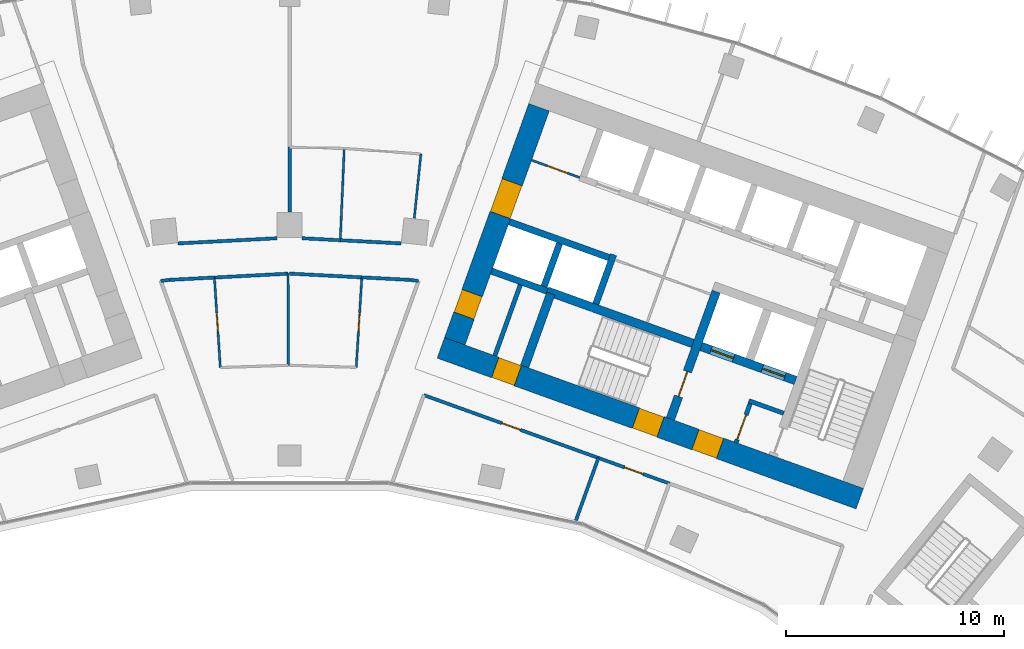
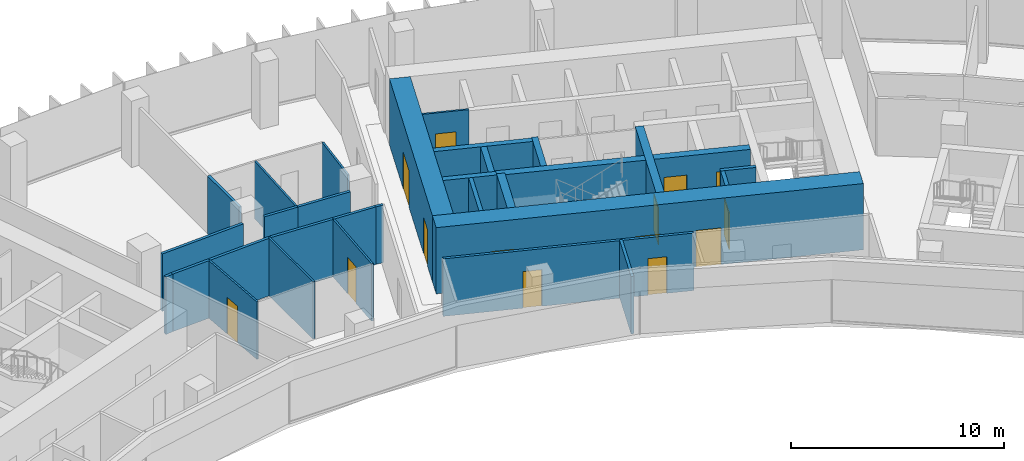
# One storey, part 14 of 19: 31 walls, 14 doors, 14 openings.
"""IFC4 building model written with IfcOpenShell, lengths in metres."""

from ifc_helpers import new_model, si_unit, direction, frame, frame_2d, origin, place, context, subcontext, project, spatial, rectangle, extrude, material, layer, layer_set, type_object, element, fill, save


model = new_model("IFC4")

# Units and contexts
model_context = context("Model", 3, precision=1e-05, world=origin(), true_north=direction((0.0, 1.0)))
body_context = subcontext(model_context, "Body", "Model", "MODEL_VIEW")
ifc_project = project(units=[si_unit("LENGTHUNIT", "METRE"), si_unit("AREAUNIT", "SQUARE_METRE"), si_unit("VOLUMEUNIT", "CUBIC_METRE"), si_unit("PLANEANGLEUNIT", "RADIAN"), si_unit("MASSUNIT", "GRAM", prefix="KILO")], contexts=[model_context])

# Site, building, storey
site_placement = place(None, origin())
site = spatial("IfcSite", under=ifc_project, at=site_placement, CompositionType="ELEMENT")
building_placement = place(site_placement, origin())
building = spatial("IfcBuilding", under=site, at=building_placement, Name="Stone Belt Terrace Tower", CompositionType="ELEMENT")
storey_placement = place(building_placement, frame((0.0, 0.0, 246.60009765625)))
storey = spatial("IfcBuildingStorey", under=building, at=storey_placement, Name="L60", CompositionType="ELEMENT", Elevation=246.60009765625)

# Wall, opening, door
ifc_material_1 = material(Name="Plasterboard partition")
ifc_layer_1 = layer(ifc_material_1, 0.10009765625)
ifc_layer_set_1 = layer_set([ifc_layer_1], Name="Core partition 100")
wall_type_1 = type_object("IfcWallType", Name="Core partition 100", PredefinedType="PARTITIONING", material=ifc_layer_set_1)
wall_1_placement = place(storey_placement, frame((13.29638671875, 57.17529296875, 0.0), z_axis=(0.0, 0.0, 1.0), x_axis=(-0.940904627055, 0.338671644496, 0.0)))
wall_1 = element("IfcWall", 1, at=wall_1_placement, inside=storey, type_object=wall_type_1, Name="Core B wall", PredefinedType="PARTITIONING", context=body_context, shape_type="SweptSolid", body=[
    extrude(rectangle(XDim=2.35009765625, YDim=0.10009765625, at=frame_2d((1.175048828125, 0.0))), origin(), (0.0, 0.0, 1.0), 3.2998046875),
])
opening_1_placement = place(wall_1_placement, frame((0.60009765625, 0.0, 0.0)))
opening_1 = element("IfcOpeningElement", 2, at=opening_1_placement, cuts=wall_1, Name="Opening L60-C15", PredefinedType="OPENING", context=body_context, shape_type="SweptSolid", body=[
    extrude(rectangle(XDim=1.0, YDim=2.10009765625, at=frame_2d((0.5, 1.050048828125))), frame((0.0, 0.06005859375, 0.0), z_axis=(0.0, -1.0, 0.0), x_axis=(1.0, 0.0, 0.0)), (0.0, 0.0, 1.0), 0.1201171875),
])
ifc_material_2 = material(Name="Timber door leaf", Category="wood")
door_type_1 = type_object("IfcDoorType", Name="Core room door 1000", OperationType="SINGLE_SWING_LEFT", PredefinedType="DOOR", material=ifc_material_2)
door_1_placement = place(opening_1_placement, origin())
door_1 = element("IfcDoor", 3, at=door_1_placement, inside=storey, type_object=door_type_1, Name="Door to Communications hub room core B", OperationType="SINGLE_SWING_RIGHT", OverallHeight=2.10009765625, OverallWidth=1.0, PredefinedType="DOOR", context=body_context, shape_type="SweptSolid", body=[
    extrude(rectangle(XDim=1.0, YDim=2.10009765625, at=frame_2d((0.5, 1.050048828125))), frame((0.0, 0.02490234375, 0.0), z_axis=(0.0, -1.0, 0.0), x_axis=(1.0, 0.0, 0.0)), (0.0, 0.0, 1.0), 0.050048828125),
])
fill(opening_1, door_1)

# Wall, openings, doors
ifc_material_3 = material(Name="Concrete B60", Category="concrete")
ifc_layer_2 = layer(ifc_material_3, 1.0)
ifc_layer_set_2 = layer_set([ifc_layer_2], Name="Core wall 1000 B60")
wall_type_2 = type_object("IfcWallType", Name="Core wall 1000 B60", PredefinedType="SHEAR", material=ifc_layer_set_2)
wall_2_placement = place(storey_placement, frame((6.927490234375, 49.370849609375, 0.0), z_axis=(0.0, 0.0, 1.0), x_axis=(0.940921428504, -0.338624962727, 0.0)))
wall_2 = element("IfcWall", 4, at=wall_2_placement, inside=storey, type_object=wall_type_2, Name="Core B wall concave L60", PredefinedType="SHEAR", context=body_context, shape_type="SweptSolid", body=[
    extrude(rectangle(XDim=20.400146484375, YDim=1.0, at=frame_2d((10.2001953125, 0.0))), origin(), (0.0, 0.0, 1.0), 3.7998046875),
])
opening_2_placement = place(wall_2_placement, frame((12.39990234375, 0.0, 0.0)))
opening_2 = element("IfcOpeningElement", 5, at=opening_2_placement, cuts=wall_2, Name="Opening L60-C24", PredefinedType="OPENING", context=body_context, shape_type="SweptSolid", body=[
    extrude(rectangle(XDim=1.199951171875, YDim=2.10009765625, at=frame_2d((0.60009765625, 1.050048828125))), frame((0.0, 0.510009765625, 0.0), z_axis=(0.0, -1.0, 0.0), x_axis=(1.0, 0.0, 0.0)), (0.0, 0.0, 1.0), 1.02001953125),
])
opening_3_placement = place(wall_2_placement, frame((9.5, 0.0, 0.0)))
opening_3 = element("IfcOpeningElement", 6, at=opening_3_placement, cuts=wall_2, Name="Opening L60-C26", PredefinedType="OPENING", context=body_context, shape_type="SweptSolid", body=[
    extrude(rectangle(XDim=1.199951171875, YDim=2.10009765625, at=frame_2d((0.60009765625, 1.050048828125))), frame((0.0, 0.510009765625, 0.0), z_axis=(0.0, -1.0, 0.0), x_axis=(1.0, 0.0, 0.0)), (0.0, 0.0, 1.0), 1.02001953125),
])
opening_4_placement = place(wall_2_placement, frame((2.64990234375, 0.0, 0.0)))
opening_4 = element("IfcOpeningElement", 7, at=opening_4_placement, cuts=wall_2, Name="Opening L60-C28", PredefinedType="OPENING", context=body_context, shape_type="SweptSolid", body=[
    extrude(rectangle(XDim=1.10009765625, YDim=2.10009765625, at=frame_2d((0.550048828125, 1.050048828125))), frame((0.0, 0.510009765625, 0.0), z_axis=(0.0, -1.0, 0.0), x_axis=(1.0, 0.0, 0.0)), (0.0, 0.0, 1.0), 1.02001953125),
])
door_type_2 = type_object("IfcDoorType", Name="Core room door 1100", OperationType="SINGLE_SWING_LEFT", PredefinedType="DOOR", material=ifc_material_2)
door_2_placement = place(opening_4_placement, origin())
door_2 = element("IfcDoor", 8, at=door_2_placement, inside=storey, type_object=door_type_2, Name="Door to Communications riser room core B", OperationType="SINGLE_SWING_RIGHT", OverallHeight=2.10009765625, OverallWidth=1.10009765625, PredefinedType="DOOR", context=body_context, shape_type="SweptSolid", body=[
    extrude(rectangle(XDim=1.10009765625, YDim=2.10009765625, at=frame_2d((0.550048828125, 1.050048828125))), frame((0.0, 0.47998046875, 0.0), z_axis=(0.0, -1.0, 0.0), x_axis=(1.0, 0.0, 0.0)), (0.0, 0.0, 1.0), 0.9599609375),
])
fill(opening_4, door_2)
ifc_material_4 = material(Name="Steel door leaf", Category="steel")
door_type_3 = type_object("IfcDoorType", Name="Fire-fighting lobby door 1200", OperationType="SINGLE_SWING_LEFT", PredefinedType="DOOR", material=ifc_material_4)
door_3_placement = place(opening_2_placement, origin())
door_3 = element("IfcDoor", 9, at=door_3_placement, inside=storey, type_object=door_type_3, Name="Fire-fighting lobby door core B", OperationType="SINGLE_SWING_RIGHT", OverallHeight=2.10009765625, OverallWidth=1.199951171875, PredefinedType="DOOR", context=body_context, shape_type="SweptSolid", body=[
    extrude(rectangle(XDim=1.199951171875, YDim=2.10009765625, at=frame_2d((0.60009765625, 1.050048828125))), frame((0.0, 0.47998046875, 0.0), z_axis=(0.0, -1.0, 0.0), x_axis=(1.0, 0.0, 0.0)), (0.0, 0.0, 1.0), 0.9599609375),
])
fill(opening_2, door_3)
door_type_4 = type_object("IfcDoorType", Name="Stair door 1200", OperationType="SINGLE_SWING_LEFT", PredefinedType="DOOR", material=ifc_material_4)
door_4_placement = place(opening_3_placement, origin())
door_4 = element("IfcDoor", 10, at=door_4_placement, inside=storey, type_object=door_type_4, Name="Stair 2 exit door core B", OperationType="SINGLE_SWING_LEFT", OverallHeight=2.10009765625, OverallWidth=1.199951171875, PredefinedType="DOOR", context=body_context, shape_type="SweptSolid", body=[
    extrude(rectangle(XDim=1.199951171875, YDim=2.10009765625, at=frame_2d((0.60009765625, 1.050048828125))), frame((0.0, 0.47998046875, 0.0), z_axis=(0.0, -1.0, 0.0), x_axis=(1.0, 0.0, 0.0)), (0.0, 0.0, 1.0), 0.9599609375),
])
fill(opening_3, door_4)

wall_3_placement = place(storey_placement, frame((7.567138671875, 49.672119140625, 0.0), z_axis=(0.0, 0.0, 1.0), x_axis=(0.338625431531, 0.940921259788, 0.0)))
wall_3 = element("IfcWall", 11, at=wall_3_placement, inside=storey, type_object=wall_type_2, Name="Core B wall end_a L60", PredefinedType="SHEAR", context=body_context, shape_type="SweptSolid", body=[
    extrude(rectangle(XDim=11.400146484375, YDim=1.0, at=frame_2d((5.7001953125, 0.0))), origin(), (0.0, 0.0, 1.0), 3.7998046875),
])
opening_5_placement = place(wall_3_placement, frame((6.14990234375, 0.0, 0.0)))
opening_5 = element("IfcOpeningElement", 12, at=opening_5_placement, cuts=wall_3, Name="Opening L60-C21", PredefinedType="OPENING", context=body_context, shape_type="SweptSolid", body=[
    extrude(rectangle(XDim=1.60009765625, YDim=2.10009765625, at=frame_2d((0.800048828125, 1.050048828125))), frame((0.0, 0.510009765625, 0.0), z_axis=(0.0, -1.0, 0.0), x_axis=(1.0, 0.0, 0.0)), (0.0, 0.0, 1.0), 1.02001953125),
])
opening_6_placement = place(wall_3_placement, frame((1.25, 0.0, 0.0)))
opening_6 = element("IfcOpeningElement", 13, at=opening_6_placement, cuts=wall_3, Name="Opening L60-C27", PredefinedType="OPENING", context=body_context, shape_type="SweptSolid", body=[
    extrude(rectangle(XDim=1.10009765625, YDim=2.10009765625, at=frame_2d((0.550048828125, 1.050048828125))), frame((0.0, 0.510009765625, 0.0), z_axis=(0.0, -1.0, 0.0), x_axis=(1.0, 0.0, 0.0)), (0.0, 0.0, 1.0), 1.02001953125),
])
door_5_placement = place(opening_6_placement, origin())
door_5 = element("IfcDoor", 14, at=door_5_placement, inside=storey, type_object=door_type_2, Name="Door to Cleaner's store core B", OperationType="SINGLE_SWING_LEFT", OverallHeight=2.10009765625, OverallWidth=1.10009765625, PredefinedType="DOOR", context=body_context, shape_type="SweptSolid", body=[
    extrude(rectangle(XDim=1.10009765625, YDim=2.10009765625, at=frame_2d((0.550048828125, 1.050048828125))), frame((0.0, 0.47998046875, 0.0), z_axis=(0.0, -1.0, 0.0), x_axis=(1.0, 0.0, 0.0)), (0.0, 0.0, 1.0), 0.9599609375),
])
fill(opening_6, door_5)
ifc_material_5 = material(Name="Glazed aluminium door leaf", Category="aluminium")
door_type_5 = type_object("IfcDoorType", Name="Lift lobby entrance door 1600", OperationType="DOUBLE_DOOR_SINGLE_SWING", PredefinedType="DOOR", material=ifc_material_5)
door_6_placement = place(opening_5_placement, origin())
door_6 = element("IfcDoor", 15, at=door_6_placement, inside=storey, type_object=door_type_5, Name="Lift lobby entrance door core B", OperationType="DOUBLE_DOOR_SINGLE_SWING", OverallHeight=2.10009765625, OverallWidth=1.60009765625, PredefinedType="DOOR", context=body_context, shape_type="SweptSolid", body=[
    extrude(rectangle(XDim=1.60009765625, YDim=2.10009765625, at=frame_2d((0.800048828125, 1.050048828125))), frame((0.0, 0.47998046875, 0.0), z_axis=(0.0, -1.0, 0.0), x_axis=(1.0, 0.0, 0.0)), (0.0, 0.0, 1.0), 0.9599609375),
])
fill(opening_5, door_6)

# Walls
ifc_material_6 = material(Name="Concrete B80", Category="concrete")
ifc_layer_3 = layer(ifc_material_6, 0.300048828125)
ifc_layer_set_3 = layer_set([ifc_layer_3], Name="Lift shaft wall 300")
wall_type_3 = type_object("IfcWallType", Name="Lift shaft wall 300", PredefinedType="SHEAR", material=ifc_layer_set_3)
wall_4_placement = place(storey_placement, frame((14.029052734375, 51.38525390625, 0.0), z_axis=(0.0, 0.0, 1.0), x_axis=(0.338661829791, 0.940908159728, 0.0)))
element("IfcWall", 16, at=wall_4_placement, inside=storey, type_object=wall_type_3, Name="Core B wall", PredefinedType="SHEAR", context=body_context, shape_type="SweptSolid", body=[
    extrude(rectangle(XDim=2.39990234375, YDim=0.300048828125, at=frame_2d((1.199951171875, 0.0))), origin(), (0.0, 0.0, 1.0), 3.2998046875),
])
wall_5_placement = place(storey_placement, frame((14.6328125, 53.506103515625, 0.0), z_axis=(0.0, 0.0, 1.0), x_axis=(-0.940931684323, 0.338596464007, 0.0)))
element("IfcWall", 17, at=wall_5_placement, inside=storey, type_object=wall_type_3, Name="Core B wall", PredefinedType="SHEAR", context=body_context, shape_type="SweptSolid", body=[
    extrude(rectangle(XDim=4.849609375, YDim=0.300048828125, at=frame_2d((2.4248046875, 0.0))), origin(), (0.0, 0.0, 1.0), 3.2998046875),
])
wall_6_placement = place(storey_placement, frame((11.797119140625, 51.975830078125, 0.0), z_axis=(0.0, 0.0, 1.0), x_axis=(-0.940910465161, 0.33865542451, 0.0)))
element("IfcWall", 18, at=wall_6_placement, inside=storey, type_object=wall_type_3, Name="Core B wall", PredefinedType="SHEAR", context=body_context, shape_type="SweptSolid", body=[
    extrude(rectangle(XDim=2.69970703125, YDim=0.300048828125, at=frame_2d((1.349853515625, 0.0))), origin(), (0.0, 0.0, 1.0), 3.2998046875),
])
wall_7_placement = place(storey_placement, frame((11.659912109375, 52.184814453125, 0.0), z_axis=(0.0, 0.0, 1.0), x_axis=(0.338670064856, 0.940905195634, 0.0)))
element("IfcWall", 19, at=wall_7_placement, inside=storey, type_object=wall_type_3, Name="Core B wall", PredefinedType="SHEAR", context=body_context, shape_type="SweptSolid", body=[
    extrude(rectangle(XDim=2.099853515625, YDim=0.300048828125, at=frame_2d((1.0498046875, 0.0))), origin(), (0.0, 0.0, 1.0), 3.2998046875),
])

# Wall, opening, door
ifc_material_7 = material(Name="Gypsum board partition")
ifc_layer_4 = layer(ifc_material_7, 0.10009765625)
ifc_layer_set_4 = layer_set([ifc_layer_4], Name="PARTITION 100")
wall_type_4 = type_object("IfcWallType", Name="PARTITION 100", PredefinedType="PARTITIONING", material=ifc_layer_set_4)
wall_8_placement = place(storey_placement, frame((-3.446044921875, 52.593994140625, 0.0), z_axis=(0.0, 0.0, 1.0), x_axis=(0.06535029592, -0.997862384712, 0.0)))
wall_8 = element("IfcWall", 20, at=wall_8_placement, inside=storey, type_object=wall_type_4, Name="L60/wall/i071", PredefinedType="PARTITIONING", context=body_context, shape_type="SweptSolid", body=[
    extrude(rectangle(XDim=4.1318359375, YDim=0.10009765625, at=frame_2d((2.06591796875, 0.0))), origin(), (0.0, 0.0, 1.0), 3.2998046875),
])
opening_7_placement = place(wall_8_placement, frame((1.615966796875, 0.0, 0.0)))
opening_7 = element("IfcOpeningElement", 21, at=opening_7_placement, cuts=wall_8, Name="Opening D-D5b-22", PredefinedType="OPENING", context=body_context, shape_type="SweptSolid", body=[
    extrude(rectangle(XDim=0.89990234375, YDim=2.10009765625, at=frame_2d((0.449951171875, 1.050048828125))), frame((0.0, 0.06005859375, 0.0), z_axis=(0.0, -1.0, 0.0), x_axis=(1.0, 0.0, 0.0)), (0.0, 0.0, 1.0), 0.1201171875),
])
door_type_6 = type_object("IfcDoorType", Name="OFFICE DOOR 900 X 2100", OperationType="NOTDEFINED", PredefinedType="DOOR", material=ifc_material_2)
door_7_placement = place(opening_7_placement, origin())
door_7 = element("IfcDoor", 22, at=door_7_placement, inside=storey, type_object=door_type_6, Name="L60/door/i22", OperationType="SINGLE_SWING_RIGHT", OverallHeight=2.10009765625, OverallWidth=0.89990234375, PredefinedType="DOOR", context=body_context, shape_type="SweptSolid", body=[
    extrude(rectangle(XDim=0.89990234375, YDim=2.10009765625, at=frame_2d((0.449951171875, 1.050048828125))), frame((0.0, 0.02490234375, 0.0), z_axis=(0.0, -1.0, 0.0), x_axis=(1.0, 0.0, 0.0)), (0.0, 0.0, 1.0), 0.050048828125),
])
fill(opening_7, door_7)

wall_9_placement = place(storey_placement, frame((3.051025390625, 48.47900390625, 0.0), z_axis=(0.0, 0.0, 1.0), x_axis=(0.06270205235, 0.998032290375, 0.0)))
wall_9 = element("IfcWall", 23, at=wall_9_placement, inside=storey, type_object=wall_type_4, Name="L60/wall/i074", PredefinedType="PARTITIONING", context=body_context, shape_type="SweptSolid", body=[
    extrude(rectangle(XDim=4.131103515625, YDim=0.10009765625, at=frame_2d((2.0654296875, 0.0))), origin(), (0.0, 0.0, 1.0), 3.2998046875),
])
opening_8_placement = place(wall_9_placement, frame((1.615478515625, 0.0, 0.0)))
opening_8 = element("IfcOpeningElement", 24, at=opening_8_placement, cuts=wall_9, Name="Opening D-D5b-23", PredefinedType="OPENING", context=body_context, shape_type="SweptSolid", body=[
    extrude(rectangle(XDim=0.89990234375, YDim=2.10009765625, at=frame_2d((0.449951171875, 1.050048828125))), frame((0.0, 0.06005859375, 0.0), z_axis=(0.0, -1.0, 0.0), x_axis=(1.0, 0.0, 0.0)), (0.0, 0.0, 1.0), 0.1201171875),
])
door_8_placement = place(opening_8_placement, origin())
door_8 = element("IfcDoor", 25, at=door_8_placement, inside=storey, type_object=door_type_6, Name="L60/door/i23", OperationType="SINGLE_SWING_RIGHT", OverallHeight=2.10009765625, OverallWidth=0.89990234375, PredefinedType="DOOR", context=body_context, shape_type="SweptSolid", body=[
    extrude(rectangle(XDim=0.89990234375, YDim=2.10009765625, at=frame_2d((0.449951171875, 1.050048828125))), frame((0.0, 0.02490234375, 0.0), z_axis=(0.0, -1.0, 0.0), x_axis=(1.0, 0.0, 0.0)), (0.0, 0.0, 1.0), 0.050048828125),
])
fill(opening_8, door_8)

# Walls
wall_10_placement = place(storey_placement, frame((-0.068115234375, 52.77099609375, 0.0), z_axis=(0.0, 0.0, 1.0), x_axis=(0.001221852815, -0.999999253538, 0.0)))
element("IfcWall", 26, at=wall_10_placement, inside=storey, type_object=wall_type_4, Name="L60/wall/i075", PredefinedType="PARTITIONING", context=body_context, shape_type="SweptSolid", body=[
    extrude(rectangle(XDim=4.196044921875, YDim=0.10009765625, at=frame_2d((2.09814453125, 0.0))), origin(), (0.0, 0.0, 1.0), 3.2998046875),
])
wall_11_placement = place(storey_placement, frame((5.7119140625, 55.31103515625, 0.0), z_axis=(0.0, 0.0, 1.0), x_axis=(0.102786571423, 0.99470343356, 0.0)))
element("IfcWall", 27, at=wall_11_placement, inside=storey, type_object=wall_type_4, Name="L60/wall/i080", PredefinedType="PARTITIONING", context=body_context, shape_type="SweptSolid", body=[
    extrude(rectangle(XDim=2.95947265625, YDim=0.10009765625, at=frame_2d((1.479736328125, 0.0))), origin(), (0.0, 0.0, 1.0), 3.2998046875),
])
wall_12_placement = place(storey_placement, frame((2.501953125, 58.510986328125, 0.0), z_axis=(0.0, 0.0, 1.0), x_axis=(-0.042720304675, -0.999087071065, 0.0)))
element("IfcWall", 28, at=wall_12_placement, inside=storey, type_object=wall_type_4, Name="L60/wall/i082", PredefinedType="PARTITIONING", context=body_context, shape_type="SweptSolid", body=[
    extrude(rectangle(XDim=4.2119140625, YDim=0.10009765625, at=frame_2d((2.10595703125, 0.0))), origin(), (0.0, 0.0, 1.0), 3.2998046875),
])

# Wall, opening, door
ifc_layer_5 = layer(ifc_material_7, 0.14990234375)
ifc_layer_set_5 = layer_set([ifc_layer_5], Name="PARTITION 150 EI 60")
wall_type_5 = type_object("IfcWallType", Name="PARTITION 150 EI 60", PredefinedType="PARTITIONING", material=ifc_layer_set_5)
wall_13_placement = place(storey_placement, frame((14.154052734375, 44.325927734375, 0.0), z_axis=(0.0, 0.0, 1.0), x_axis=(-0.940915210551, 0.338642239767, 0.0)))
wall_13 = element("IfcWall", 29, at=wall_13_placement, inside=storey, type_object=wall_type_5, Name="L60/wall/i028", PredefinedType="PARTITIONING", context=body_context, shape_type="SweptSolid", body=[
    extrude(rectangle(XDim=8.5078125, YDim=0.14990234375, at=frame_2d((4.25390625, 0.0))), origin(), (0.0, 0.0, 1.0), 3.2998046875),
])
opening_9_placement = place(wall_13_placement, frame((3.8037109375, 0.0, 0.0)))
opening_9 = element("IfcOpeningElement", 30, at=opening_9_placement, cuts=wall_13, Name="Opening D-D5b-06", PredefinedType="OPENING", context=body_context, shape_type="SweptSolid", body=[
    extrude(rectangle(XDim=0.89990234375, YDim=2.10009765625, at=frame_2d((0.449951171875, 1.050048828125))), frame((0.0, 0.0849609375, 0.0), z_axis=(0.0, -1.0, 0.0), x_axis=(1.0, 0.0, 0.0)), (0.0, 0.0, 1.0), 0.169921875),
])
door_9_placement = place(opening_9_placement, origin())
door_9 = element("IfcDoor", 31, at=door_9_placement, inside=storey, type_object=door_type_6, Name="L60/door/i06", OperationType="SINGLE_SWING_RIGHT", OverallHeight=2.10009765625, OverallWidth=0.89990234375, PredefinedType="DOOR", context=body_context, shape_type="SweptSolid", body=[
    extrude(rectangle(XDim=0.89990234375, YDim=2.10009765625, at=frame_2d((0.449951171875, 1.050048828125))), frame((0.0, 0.02490234375, 0.0), z_axis=(0.0, -1.0, 0.0), x_axis=(1.0, 0.0, 0.0)), (0.0, 0.0, 1.0), 0.050048828125),
])
fill(opening_9, door_9)

wall_14_placement = place(storey_placement, frame((17.404052734375, 43.156005859375, 0.0), z_axis=(0.0, 0.0, 1.0), x_axis=(-0.94090895552, 0.338659618823, 0.0)))
wall_14 = element("IfcWall", 32, at=wall_14_placement, inside=storey, type_object=wall_type_5, Name="L60/wall/i029", PredefinedType="PARTITIONING", context=body_context, shape_type="SweptSolid", body=[
    extrude(rectangle(XDim=3.466796875, YDim=0.14990234375, at=frame_2d((1.7333984375, 0.0))), origin(), (0.0, 0.0, 1.0), 3.2998046875),
])
opening_10_placement = place(wall_14_placement, frame((1.283447265625, 0.0, 0.0)))
opening_10 = element("IfcOpeningElement", 33, at=opening_10_placement, cuts=wall_14, Name="Opening D-D5b-07", PredefinedType="OPENING", context=body_context, shape_type="SweptSolid", body=[
    extrude(rectangle(XDim=0.89990234375, YDim=2.10009765625, at=frame_2d((0.449951171875, 1.050048828125))), frame((0.0, 0.0849609375, 0.0), z_axis=(0.0, -1.0, 0.0), x_axis=(1.0, 0.0, 0.0)), (0.0, 0.0, 1.0), 0.169921875),
])
door_10_placement = place(opening_10_placement, origin())
door_10 = element("IfcDoor", 34, at=door_10_placement, inside=storey, type_object=door_type_6, Name="L60/door/i07", OperationType="SINGLE_SWING_RIGHT", OverallHeight=2.10009765625, OverallWidth=0.89990234375, PredefinedType="DOOR", context=body_context, shape_type="SweptSolid", body=[
    extrude(rectangle(XDim=0.89990234375, YDim=2.10009765625, at=frame_2d((0.449951171875, 1.050048828125))), frame((0.0, 0.02490234375, 0.0), z_axis=(0.0, -1.0, 0.0), x_axis=(1.0, 0.0, 0.0)), (0.0, 0.0, 1.0), 0.050048828125),
])
fill(opening_10, door_10)

# Walls
wall_15_placement = place(storey_placement, frame((14.14794921875, 44.327880859375, 0.0), z_axis=(0.0, 0.0, 1.0), x_axis=(-0.338693950251, -0.940896597966, 0.0)))
element("IfcWall", 35, at=wall_15_placement, inside=storey, type_object=wall_type_5, Name="L60/wall/i031", PredefinedType="PARTITIONING", context=body_context, shape_type="SweptSolid", body=[
    extrude(rectangle(XDim=3.049072265625, YDim=0.14990234375, at=frame_2d((1.5244140625, 0.0))), origin(), (0.0, 0.0, 1.0), 3.2998046875),
])
wall_16_placement = place(storey_placement, frame((-3.43994140625, 52.594970703125, 0.0), z_axis=(0.0, 0.0, 1.0), x_axis=(-0.99862754401, -0.052373928108, 0.0)))
element("IfcWall", 36, at=wall_16_placement, inside=storey, type_object=wall_type_5, Name="L60/wall/i062", PredefinedType="PARTITIONING", context=body_context, shape_type="SweptSolid", body=[
    extrude(rectangle(XDim=2.0791015625, YDim=0.14990234375, at=frame_2d((1.03955078125, 0.0))), origin(), (0.0, 0.0, 1.0), 3.2998046875),
])
for number, where, z_axis, x_axis, name in (
    (37, (-5.51611328125, 52.486083984375, 0.0), (0.0, 0.0, 1.0), (-0.991780421826, -0.127951533338, 0.0), "L60/wall/i063"),
    (38, (5.904052734375, 52.43603515625, 0.0), (0.0, 0.0, 1.0), (-0.991780421826, 0.127951533338, 0.0), "L60/wall/i064"),
):
    element("IfcWall", number, at=place(storey_placement, frame(where, z_axis=z_axis, x_axis=x_axis)), inside=storey, type_object=wall_type_5, Name=name, PredefinedType="PARTITIONING", context=body_context, shape_type="SweptSolid", body=[
        extrude(rectangle(XDim=0.39111328125, YDim=0.14990234375, at=frame_2d((0.195556640625, 0.0))), origin(), (0.0, 0.0, 1.0), 3.2998046875),
    ])
wall_17_placement = place(storey_placement, frame((5.51611328125, 52.486083984375, 0.0), z_axis=(0.0, 0.0, 1.0), x_axis=(-0.998628767905, 0.052350586553, 0.0)))
element("IfcWall", 39, at=wall_17_placement, inside=storey, type_object=wall_type_5, Name="L60/wall/i065", PredefinedType="PARTITIONING", context=body_context, shape_type="SweptSolid", body=[
    extrude(rectangle(XDim=2.215087890625, YDim=0.14990234375, at=frame_2d((1.107421875, 0.0))), origin(), (0.0, 0.0, 1.0), 3.2998046875),
])
wall_18_placement = place(storey_placement, frame((-0.06201171875, 52.77197265625, 0.0), z_axis=(0.0, 0.0, 1.0), x_axis=(-0.998624576106, -0.052430487287, 0.0)))
element("IfcWall", 40, at=wall_18_placement, inside=storey, type_object=wall_type_5, Name="L60/wall/i066", PredefinedType="PARTITIONING", context=body_context, shape_type="SweptSolid", body=[
    extrude(rectangle(XDim=3.39453125, YDim=0.14990234375, at=frame_2d((1.697265625, 0.0))), origin(), (0.0, 0.0, 1.0), 3.2998046875),
])
wall_19_placement = place(storey_placement, frame((3.31591796875, 52.60107421875, 0.0), z_axis=(0.0, 0.0, 1.0), x_axis=(-0.998628775541, 0.052350440891, 0.0)))
element("IfcWall", 41, at=wall_19_placement, inside=storey, type_object=wall_type_5, Name="L60/wall/i067", PredefinedType="PARTITIONING", context=body_context, shape_type="SweptSolid", body=[
    extrude(rectangle(XDim=3.320556640625, YDim=0.14990234375, at=frame_2d((1.66015625, 0.0))), origin(), (0.0, 0.0, 1.0), 3.2998046875),
])
wall_20_placement = place(storey_placement, frame((-5.114013671875, 54.1572265625, 0.0), z_axis=(0.0, 0.0, 1.0), x_axis=(0.998631882583, 0.052291137769, 0.0)))
element("IfcWall", 42, at=wall_20_placement, inside=storey, type_object=wall_type_5, Name="L60/wall/i068", PredefinedType="PARTITIONING", context=body_context, shape_type="SweptSolid", body=[
    extrude(rectangle(XDim=4.54736328125, YDim=0.14990234375, at=frame_2d((2.273681640625, 0.0))), origin(), (0.0, 0.0, 1.0), 3.2998046875),
])
wall_21_placement = place(storey_placement, frame((0.572509765625, 54.39501953125, 0.0), z_axis=(0.0, 0.0, 1.0), x_axis=(0.998628169228, -0.052362005535, 0.0)))
element("IfcWall", 43, at=wall_21_placement, inside=storey, type_object=wall_type_5, Name="L60/wall/i069", PredefinedType="PARTITIONING", context=body_context, shape_type="SweptSolid", body=[
    extrude(rectangle(XDim=1.7578125, YDim=0.14990234375, at=frame_2d((0.87890625, 0.0))), origin(), (0.0, 0.0, 1.0), 3.2998046875),
])
wall_22_placement = place(storey_placement, frame((2.31591796875, 54.303955078125, 0.0), z_axis=(0.0, 0.0, 1.0), x_axis=(0.998631042992, -0.052307169428, 0.0)))
element("IfcWall", 44, at=wall_22_placement, inside=storey, type_object=wall_type_5, Name="L60/wall/i070", PredefinedType="PARTITIONING", context=body_context, shape_type="SweptSolid", body=[
    extrude(rectangle(XDim=2.800537109375, YDim=0.14990234375, at=frame_2d((1.400390625, 0.0))), origin(), (0.0, 0.0, 1.0), 3.2998046875),
])
wall_23_placement = place(storey_placement, frame((0.0, 58.571044921875, 0.0), z_axis=(0.0, 0.0, 1.0), x_axis=(0.0, -1.0, 0.0)))
element("IfcWall", 45, at=wall_23_placement, inside=storey, type_object=wall_type_5, Name="L60/wall/i078", PredefinedType="PARTITIONING", context=body_context, shape_type="SweptSolid", body=[
    extrude(rectangle(XDim=2.966064453125, YDim=0.14990234375, at=frame_2d((1.48291015625, 0.0))), origin(), (0.0, 0.0, 1.0), 3.2998046875),
])
ifc_material_8 = material(Name="Concrete masonry block", Category="masonry")
ifc_layer_6 = layer(ifc_material_8, 0.199951171875)
ifc_layer_set_6 = layer_set([ifc_layer_6], Name="Rated lobby wall 200")
wall_type_6 = type_object("IfcWallType", Name="Rated lobby wall 200", PredefinedType="PARTITIONING", material=ifc_layer_set_6)
wall_24_placement = place(storey_placement, frame((22.640625, 46.373046875, 0.0), z_axis=(0.0, 0.0, 1.0), x_axis=(-0.940966110313, 0.338500781747, 0.0)))
element("IfcWall", 46, at=wall_24_placement, inside=storey, type_object=wall_type_6, Name="Core B wall", PredefinedType="PARTITIONING", context=body_context, shape_type="SweptSolid", body=[
    extrude(rectangle(XDim=1.699951171875, YDim=0.199951171875, at=frame_2d((0.85009765625, 0.0))), origin(), (0.0, 0.0, 1.0), 3.2998046875),
])

# Wall, opening, door
wall_25_placement = place(storey_placement, frame((20.4580078125, 45.032958984375, 0.0), z_axis=(0.0, 0.0, 1.0), x_axis=(0.338573865316, 0.940939816208, 0.0)))
wall_25 = element("IfcWall", 47, at=wall_25_placement, inside=storey, type_object=wall_type_6, Name="Core B wall", PredefinedType="PARTITIONING", context=body_context, shape_type="SweptSolid", body=[
    extrude(rectangle(XDim=1.900146484375, YDim=0.199951171875, at=frame_2d((0.9501953125, 0.0))), origin(), (0.0, 0.0, 1.0), 3.2998046875),
])
opening_11_placement = place(wall_25_placement, frame((0.14990234375, 0.0, 0.0)))
opening_11 = element("IfcOpeningElement", 48, at=opening_11_placement, cuts=wall_25, Name="Opening L60-C23", PredefinedType="OPENING", context=body_context, shape_type="SweptSolid", body=[
    extrude(rectangle(XDim=1.199951171875, YDim=2.10009765625, at=frame_2d((0.60009765625, 1.050048828125))), frame((0.0, 0.10986328125, 0.0), z_axis=(0.0, -1.0, 0.0), x_axis=(1.0, 0.0, 0.0)), (0.0, 0.0, 1.0), 0.219970703125),
])
door_11_placement = place(opening_11_placement, origin())
door_11 = element("IfcDoor", 49, at=door_11_placement, inside=storey, type_object=door_type_4, Name="Stair airlock door core B", OperationType="SINGLE_SWING_RIGHT", OverallHeight=2.10009765625, OverallWidth=1.199951171875, PredefinedType="DOOR", context=body_context, shape_type="SweptSolid", body=[
    extrude(rectangle(XDim=1.199951171875, YDim=2.10009765625, at=frame_2d((0.60009765625, 1.050048828125))), frame((0.0, 0.02490234375, 0.0), z_axis=(0.0, -1.0, 0.0), x_axis=(1.0, 0.0, 0.0)), (0.0, 0.0, 1.0), 0.050048828125),
])
fill(opening_11, door_11)

# Wall
wall_26_placement = place(storey_placement, frame((9.402099609375, 49.01171875, 0.0), z_axis=(0.0, 0.0, 1.0), x_axis=(0.338599189079, 0.940930703695, 0.0)))
element("IfcWall", 50, at=wall_26_placement, inside=storey, type_object=wall_type_6, Name="Core B wall", PredefinedType="PARTITIONING", context=body_context, shape_type="SweptSolid", body=[
    extrude(rectangle(XDim=3.4501953125, YDim=0.199951171875, at=frame_2d((1.72509765625, 0.0))), origin(), (0.0, 0.0, 1.0), 3.2998046875),
])

# Wall, openings, doors
ifc_layer_7 = layer(ifc_material_6, 0.39990234375)
ifc_layer_set_7 = layer_set([ifc_layer_7], Name="Stair enclosure wall 400")
wall_type_7 = type_object("IfcWallType", Name="Stair enclosure wall 400", PredefinedType="SHEAR", material=ifc_layer_set_7)
wall_27_placement = place(storey_placement, frame((23.182373046875, 47.87841796875, 0.0), z_axis=(0.0, 0.0, 1.0), x_axis=(-0.940921101762, 0.338625870628, 0.0)))
wall_27 = element("IfcWall", 51, at=wall_27_placement, inside=storey, type_object=wall_type_7, Name="Core B wall", PredefinedType="SHEAR", context=body_context, shape_type="SweptSolid", body=[
    extrude(rectangle(XDim=12.10009765625, YDim=0.39990234375, at=frame_2d((6.050048828125, 0.0))), origin(), (0.0, 0.0, 1.0), 3.2998046875),
])
opening_12_placement = place(wall_27_placement, frame((0.52001953125, 0.0, 0.0)))
opening_12 = element("IfcOpeningElement", 52, at=opening_12_placement, cuts=wall_27, Name="Opening L60-LD14", PredefinedType="OPENING", context=body_context, shape_type="SweptSolid", body=[
    extrude(rectangle(XDim=1.10009765625, YDim=2.199951171875, at=frame_2d((0.550048828125, 1.10009765625))), frame((0.0, 0.2099609375, 0.0), z_axis=(0.0, -1.0, 0.0), x_axis=(1.0, 0.0, 0.0)), (0.0, 0.0, 1.0), 0.419921875),
])
opening_13_placement = place(wall_27_placement, frame((3.02001953125, 0.0, 0.0)))
opening_13 = element("IfcOpeningElement", 53, at=opening_13_placement, cuts=wall_27, Name="Opening L60-LD15", PredefinedType="OPENING", context=body_context, shape_type="SweptSolid", body=[
    extrude(rectangle(XDim=1.10009765625, YDim=2.199951171875, at=frame_2d((0.550048828125, 1.10009765625))), frame((0.0, 0.2099609375, 0.0), z_axis=(0.0, -1.0, 0.0), x_axis=(1.0, 0.0, 0.0)), (0.0, 0.0, 1.0), 0.419921875),
])
ifc_material_9 = material(Name="Stainless steel door leaf", Category="steel")
door_type_7 = type_object("IfcDoorType", Name="Landing door 1100", OperationType="SLIDING_TO_LEFT", PredefinedType="DOOR", material=ifc_material_9)
door_12_placement = place(opening_12_placement, origin())
door_12 = element("IfcDoor", 54, at=door_12_placement, inside=storey, type_object=door_type_7, Name="Landing door FF1 core B", OperationType="SLIDING_TO_LEFT", OverallHeight=2.199951171875, OverallWidth=1.10009765625, PredefinedType="DOOR", context=body_context, shape_type="SweptSolid", body=[
    extrude(rectangle(XDim=1.10009765625, YDim=2.199951171875, at=frame_2d((0.550048828125, 1.10009765625))), frame((0.0, 0.02490234375, 0.0), z_axis=(0.0, -1.0, 0.0), x_axis=(1.0, 0.0, 0.0)), (0.0, 0.0, 1.0), 0.050048828125),
])
fill(opening_12, door_12)
door_13_placement = place(opening_13_placement, origin())
door_13 = element("IfcDoor", 55, at=door_13_placement, inside=storey, type_object=door_type_7, Name="Landing door FF2 core B", OperationType="SLIDING_TO_LEFT", OverallHeight=2.199951171875, OverallWidth=1.10009765625, PredefinedType="DOOR", context=body_context, shape_type="SweptSolid", body=[
    extrude(rectangle(XDim=1.10009765625, YDim=2.199951171875, at=frame_2d((0.550048828125, 1.10009765625))), frame((0.0, 0.02490234375, 0.0), z_axis=(0.0, -1.0, 0.0), x_axis=(1.0, 0.0, 0.0)), (0.0, 0.0, 1.0), 0.050048828125),
])
fill(opening_13, door_13)

# Wall, opening, door
wall_28_placement = place(storey_placement, frame((17.447021484375, 46.116455078125, 0.0), z_axis=(0.0, 0.0, 1.0), x_axis=(0.33860791464, 0.940927563707, 0.0)))
wall_28 = element("IfcWall", 56, at=wall_28_placement, inside=storey, type_object=wall_type_7, Name="Core B wall", PredefinedType="SHEAR", context=body_context, shape_type="SweptSolid", body=[
    extrude(rectangle(XDim=6.199951171875, YDim=0.39990234375, at=frame_2d((3.10009765625, 0.0))), origin(), (0.0, 0.0, 1.0), 3.2998046875),
])
opening_14_placement = place(wall_28_placement, frame((1.10009765625, 0.0, 0.0)))
opening_14 = element("IfcOpeningElement", 57, at=opening_14_placement, cuts=wall_28, Name="Opening L60-C25", PredefinedType="OPENING", context=body_context, shape_type="SweptSolid", body=[
    extrude(rectangle(XDim=1.199951171875, YDim=2.10009765625, at=frame_2d((0.60009765625, 1.050048828125))), frame((0.0, 0.2099609375, 0.0), z_axis=(0.0, -1.0, 0.0), x_axis=(1.0, 0.0, 0.0)), (0.0, 0.0, 1.0), 0.419921875),
])
door_14_placement = place(opening_14_placement, origin())
door_14 = element("IfcDoor", 58, at=door_14_placement, inside=storey, type_object=door_type_4, Name="Stair 2 door core B", OperationType="SINGLE_SWING_RIGHT", OverallHeight=2.10009765625, OverallWidth=1.199951171875, PredefinedType="DOOR", context=body_context, shape_type="SweptSolid", body=[
    extrude(rectangle(XDim=1.199951171875, YDim=2.10009765625, at=frame_2d((0.60009765625, 1.050048828125))), frame((0.0, 0.02490234375, 0.0), z_axis=(0.0, -1.0, 0.0), x_axis=(1.0, 0.0, 0.0)), (0.0, 0.0, 1.0), 0.050048828125),
])
fill(opening_14, door_14)

# Wall
wall_29_placement = place(storey_placement, frame((10.766357421875, 48.520751953125, 0.0), z_axis=(0.0, 0.0, 1.0), x_axis=(0.338626928157, 0.94092072117, 0.0)))
element("IfcWall", 59, at=wall_29_placement, inside=storey, type_object=wall_type_7, Name="Core B wall", PredefinedType="SHEAR", context=body_context, shape_type="SweptSolid", body=[
    extrude(rectangle(XDim=3.550048828125, YDim=0.39990234375, at=frame_2d((1.77490234375, 0.0))), origin(), (0.0, 0.0, 1.0), 3.2998046875),
])

save(model, "model.ifc")
